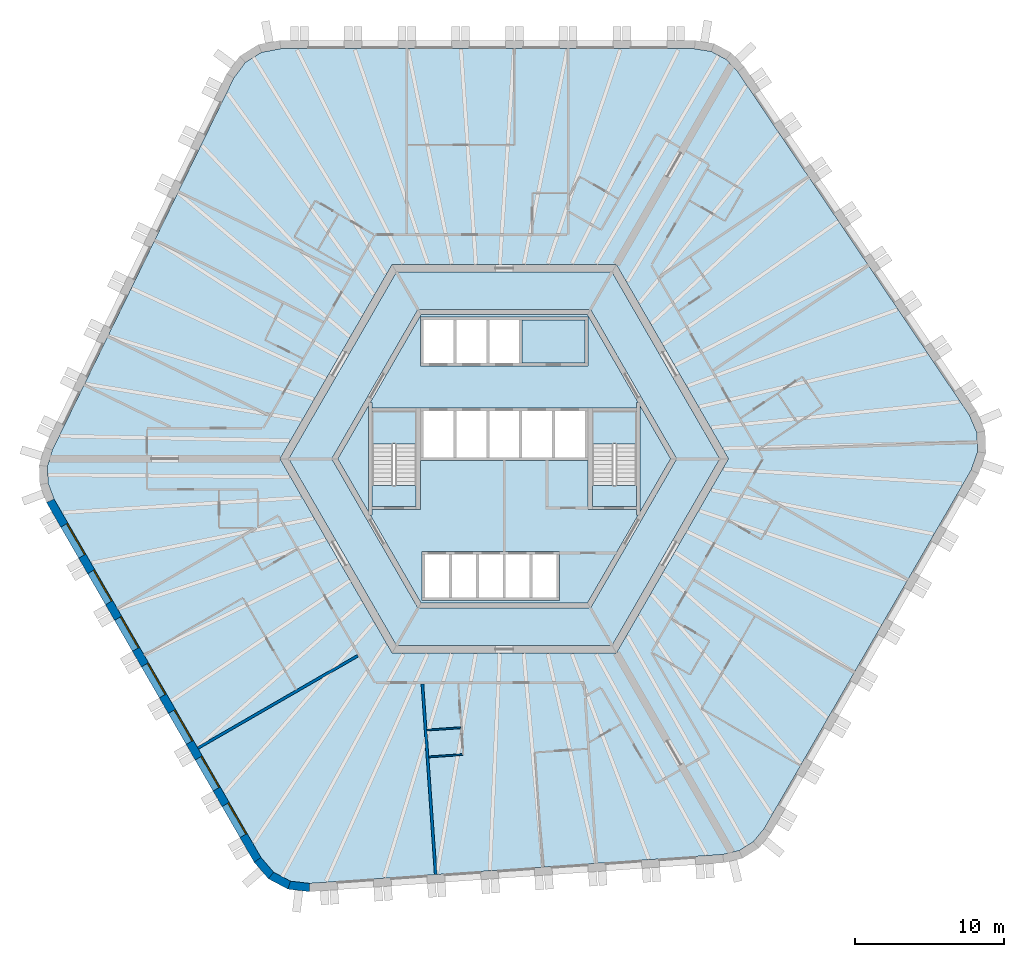
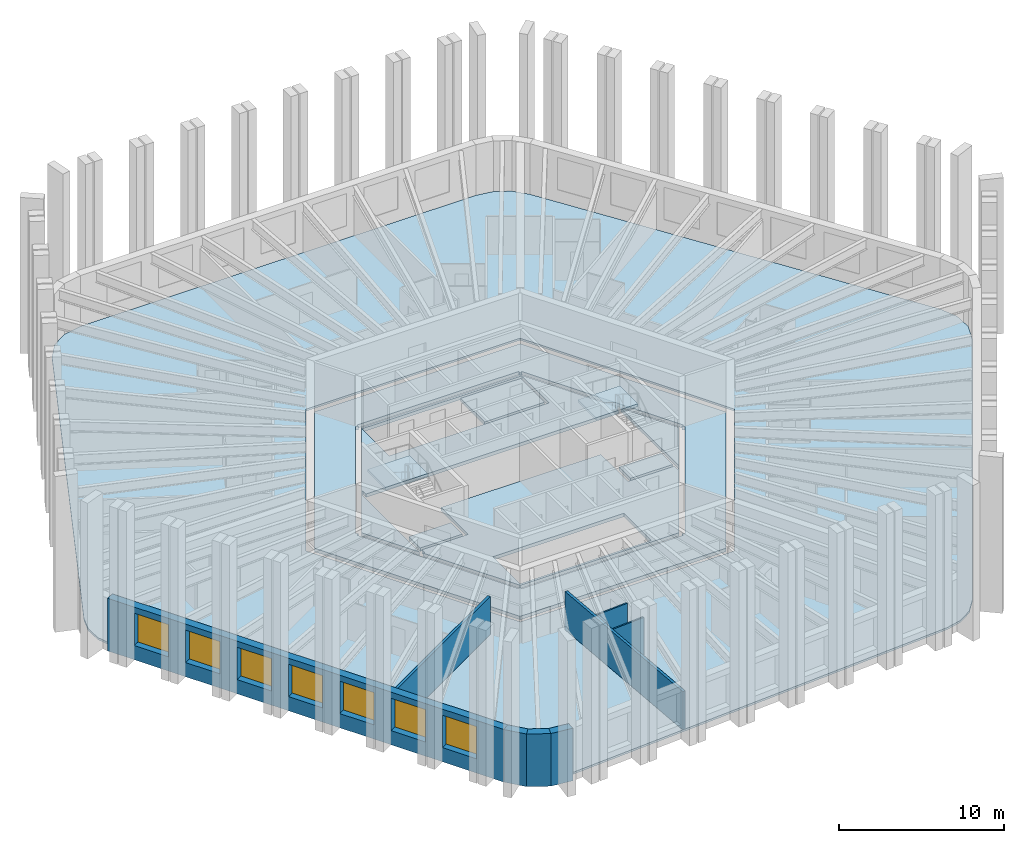
# One storey, part 2 of 10: 11 slabs, 8 walls, 7 windows, 7 openings, 2 elements without a shape of their own.
"""IFC4 building model written with IfcOpenShell, lengths in metres."""

from ifc_helpers import new_model, si_unit, direction, frame, frame_2d, origin, place, context, subcontext, project, spatial, polyline, rectangle, outline, extrude, material, layer, layer_set, type_object, element, fill, aggregate, save


model = new_model("IFC4")

# Units and contexts
model_context = context("Model", 3, precision=1e-05, world=origin(), true_north=direction((0.0, 1.0)))
body_context = subcontext(model_context, "Body", "Model", "MODEL_VIEW")
ifc_project = project(units=[si_unit("LENGTHUNIT", "METRE"), si_unit("AREAUNIT", "SQUARE_METRE"), si_unit("VOLUMEUNIT", "CUBIC_METRE"), si_unit("PLANEANGLEUNIT", "RADIAN"), si_unit("MASSUNIT", "GRAM", prefix="KILO")], contexts=[model_context])

# Site, building, storey
site_placement = place(None, origin())
site = spatial("IfcSite", under=ifc_project, at=site_placement, CompositionType="ELEMENT")
building_placement = place(site_placement, origin())
building = spatial("IfcBuilding", under=site, at=building_placement, Name="Tarnside Tower", CompositionType="ELEMENT")
storey_placement = place(building_placement, frame((0.0, 0.0, 238.5)))
storey = spatial("IfcBuildingStorey", under=building, at=storey_placement, Name="L57", CompositionType="ELEMENT", Elevation=238.5)

# Slabs
ifc_material_1 = material(Name="Concrete C35/45", Category="concrete")
ifc_layer_1 = layer(ifc_material_1, 0.14990234375)
ifc_layer_set_1 = layer_set([ifc_layer_1], Name="Composite floor slab 150")
slab_type_1 = type_object("IfcSlabType", Name="Composite floor slab 150", PredefinedType="FLOOR", material=ifc_layer_set_1)
slab_1_placement = place(storey_placement, frame((0.0, 0.0, -0.14990234375)))
element("IfcSlab", 1, at=slab_1_placement, inside=storey, type_object=slab_type_1, Name="Floor slab L57", PredefinedType="FLOOR", context=body_context, shape_type="SweptSolid", body=[
    extrude(outline(polyline([(13.864013671875, 27.264892578125), (14.85107421875, 26.740234375), (15.6337890625, 25.91064453125), (31.12890625, 2.938232421875), (31.644287109375, 1.7431640625), (31.68896484375, 0.468505859375), (31.258056640625, -0.759521484375), (17.403076171875, -24.7568359375), (16.68017578125, -25.63916015625), (15.732177734375, -26.2314453125), (14.622314453125, -26.494384765625), (-13.02001953125, -28.427490234375), (-14.3125, -28.2763671875), (-15.438720703125, -27.677490234375), (-16.286865234375, -26.6904296875), (-30.1416015625, -2.693115234375), (-30.544189453125, -1.6259765625), (-30.583251953125, -0.5087890625), (-30.256103515625, 0.583984375), (-18.10888671875, 25.4892578125), (-17.331787109375, 26.533203125), (-16.250244140625, 27.208984375), (-14.97119140625, 27.449951171875), (12.738525390625, 27.449951171875), (13.864013671875, 27.264892578125)]), holes=[polyline([(-15.010986328125, 0.0), (-7.505615234375, -13.0), (7.505615234375, -13.0), (15.010986328125, 0.0), (7.505615234375, 13.0), (-7.505615234375, 13.0), (-15.010986328125, 0.0)])]), origin(), (0.0, 0.0, 1.0), 0.14990234375),
])
ifc_material_2 = material(Name="Concrete C40/50", Category="concrete")
ifc_layer_2 = layer(ifc_material_2, 0.25)
ifc_layer_set_2 = layer_set([ifc_layer_2], Name="Core slab C40/50")
slab_type_2 = type_object("IfcSlabType", Name="Core slab C40/50", PredefinedType="FLOOR", material=ifc_layer_set_2)
slab_2_placement = place(storey_placement, frame((0.0, 0.0, -0.25)))
element("IfcSlab", 2, at=slab_2_placement, inside=storey, type_object=slab_type_2, Name="L57 core floor slab 1", PredefinedType="FLOOR", context=body_context, shape_type="SweptSolid", body=[
    extrude(outline(polyline([(-7.216796875, 12.5), (7.216796875, 12.5), (14.433837890625, 0.0), (7.216796875, -12.5), (-7.216796875, -12.5), (-14.433837890625, 0.0), (-7.216796875, 12.5)]), holes=[polyline([(5.823974609375, -9.91259765625), (11.49658203125, -0.08740234375), (11.344970703125, 0.0), (11.49658203125, 0.08740234375), (5.823974609375, 9.91259765625), (5.672607421875, 9.824951171875), (5.672607421875, 10.0), (-5.672607421875, 10.0), (-5.672607421875, 9.824951171875), (-5.823974609375, 9.91259765625), (-11.49658203125, 0.08740234375), (-11.344970703125, 0.0), (-11.49658203125, -0.08740234375), (-5.823974609375, -9.91259765625), (-5.672607421875, -9.824951171875), (-5.672607421875, -10.0), (5.672607421875, -10.0), (5.672607421875, -9.824951171875), (5.823974609375, -9.91259765625)])]), origin(), (0.0, 0.0, 1.0), 0.25),
])
slab_3_placement = place(storey_placement, frame((0.0, 0.0, -0.25)))
element("IfcSlab", 3, at=slab_3_placement, inside=storey, type_object=slab_type_2, Name="L57 core floor slab 2", PredefinedType="FLOOR", context=body_context, shape_type="SweptSolid", body=[
    extrude(outline(polyline([(-8.97509765625, 3.7548828125), (-5.5712890625, 9.64990234375), (5.5712890625, 9.64990234375), (8.97509765625, 3.7548828125), (8.85009765625, 3.7548828125), (8.85009765625, 3.39990234375), (5.89990234375, 3.39990234375), (5.60009765625, 3.39990234375), (5.60009765625, 3.39990234375), (-5.60009765625, 3.39990234375), (-5.89990234375, 3.39990234375), (-8.85009765625, 3.39990234375), (-8.85009765625, 3.7548828125), (-8.97509765625, 3.7548828125)]), holes=[polyline([(-5.60009765625, 6.199951171875), (5.60009765625, 6.199951171875), (5.60009765625, 6.39990234375), (5.60009765625, 9.300048828125), (5.60009765625, 9.5), (-5.60009765625, 9.5), (-5.60009765625, 9.300048828125), (-5.60009765625, 6.39990234375), (-5.60009765625, 6.199951171875)])]), origin(), (0.0, 0.0, 1.0), 0.25),
])
slab_4_placement = place(storey_placement, frame((0.0, 0.0, -0.25)))
element("IfcSlab", 4, at=slab_4_placement, inside=storey, type_object=slab_type_2, Name="L57 core floor slab 3", PredefinedType="FLOOR", context=body_context, shape_type="SweptSolid", body=[
    extrude(outline(polyline([(5.60009765625, -3.39990234375), (5.89990234375, -3.39990234375), (8.85009765625, -3.39990234375), (8.85009765625, -3.7548828125), (8.97509765625, -3.7548828125), (5.5712890625, -9.64990234375), (-5.5712890625, -9.64990234375), (-8.97509765625, -3.7548828125), (-8.85009765625, -3.7548828125), (-8.85009765625, -3.39990234375), (-5.89990234375, -3.39990234375), (-5.60009765625, -3.39990234375), (-5.60009765625, -0.10009765625), (5.60009765625, -0.10009765625), (5.60009765625, -3.39990234375)]), holes=[polyline([(-5.5, -9.300048828125), (-5.5, -9.5), (3.699951171875, -9.5), (3.699951171875, -9.300048828125), (3.699951171875, -6.39990234375), (3.699951171875, -6.199951171875), (-5.5, -6.199951171875), (-5.5, -6.39990234375), (-5.5, -9.300048828125)])]), origin(), (0.0, 0.0, 1.0), 0.25),
])
slab_5_placement = place(storey_placement, frame((0.0, 0.0, -0.25)))
element("IfcSlab", 5, at=slab_5_placement, inside=storey, type_object=slab_type_2, Name="L57 core floor slab 4", PredefinedType="FLOOR", context=body_context, shape_type="SweptSolid", body=[
    extrude(outline(polyline([(-11.142822265625, 0.0), (-9.10009765625, 3.538330078125), (-9.10009765625, -3.538330078125), (-11.142822265625, 0.0)])), origin(), (0.0, 0.0, 1.0), 0.25),
])
slab_6_placement = place(storey_placement, frame((0.0, 0.0, -0.25)))
element("IfcSlab", 6, at=slab_6_placement, inside=storey, type_object=slab_type_2, Name="L57 core floor slab 5", PredefinedType="FLOOR", context=body_context, shape_type="SweptSolid", body=[
    extrude(outline(polyline([(-8.85009765625, -1.800048828125), (-5.89990234375, -1.800048828125), (-5.89990234375, -3.199951171875), (-8.85009765625, -3.199951171875), (-8.85009765625, -1.800048828125)])), origin(), (0.0, 0.0, 1.0), 0.25),
])
slab_7_placement = place(storey_placement, frame((0.0, 0.0, -0.25)))
element("IfcSlab", 7, at=slab_7_placement, inside=storey, type_object=slab_type_2, Name="L57 core floor slab 6", PredefinedType="FLOOR", context=body_context, shape_type="SweptSolid", body=[
    extrude(outline(polyline([(5.89990234375, -3.199951171875), (5.89990234375, -1.800048828125), (8.85009765625, -1.800048828125), (8.85009765625, -3.199951171875), (5.89990234375, -3.199951171875)])), origin(), (0.0, 0.0, 1.0), 0.25),
])
slab_8_placement = place(storey_placement, frame((0.0, 0.0, -0.25)))
element("IfcSlab", 8, at=slab_8_placement, inside=storey, type_object=slab_type_2, Name="L57 core floor slab 7", PredefinedType="FLOOR", context=body_context, shape_type="SweptSolid", body=[
    extrude(outline(polyline([(9.10009765625, -3.538330078125), (9.10009765625, 3.538330078125), (11.142822265625, 0.0), (9.10009765625, -3.538330078125)])), origin(), (0.0, 0.0, 1.0), 0.25),
])
slab_9_placement = place(storey_placement, frame((0.0, 0.0, -0.25)))
element("IfcSlab", 9, at=slab_9_placement, inside=storey, type_object=slab_type_2, Name="L57 core floor slab 8", PredefinedType="FLOOR", context=body_context, shape_type="SweptSolid", body=[
    extrude(outline(polyline([(5.39990234375, 9.300048828125), (5.39990234375, 6.39990234375), (1.199951171875, 6.39990234375), (1.199951171875, 9.300048828125), (5.39990234375, 9.300048828125)])), origin(), (0.0, 0.0, 1.0), 0.25),
])

# Stair, slab
stair_type = type_object("IfcStairType", Name="Exit stair 1400 clear", PredefinedType="HALF_TURN_STAIR", material=ifc_material_2)
stair_1_placement = place(storey_placement, origin())
stair_1 = element("IfcStair", 10, at=stair_1_placement, inside=storey, type_object=stair_type, Name="L57 Exit stair 1", PredefinedType="HALF_TURN_STAIR")
ifc_layer_3 = layer(ifc_material_2, 0.199951171875)
ifc_layer_set_3 = layer_set([ifc_layer_3], Name="Stair landing 200 C40/50")
slab_type_3 = type_object("IfcSlabType", Name="Stair landing 200 C40/50", PredefinedType="LANDING", material=ifc_layer_set_3)
slab_10_placement = place(storey_placement, frame((0.0, 0.0, 1.75)))
slab_10 = element("IfcSlab", 11, at=slab_10_placement, type_object=slab_type_3, Name="ST1 landing 1", PredefinedType="LANDING", context=body_context, shape_type="SweptSolid", body=[
    extrude(outline(polyline([(8.85009765625, 1.0), (8.85009765625, 3.199951171875), (5.89990234375, 3.199951171875), (5.89990234375, 1.0), (8.85009765625, 1.0)])), origin(), (0.0, 0.0, 1.0), 0.199951171875),
])
aggregate(stair_1, [slab_10])

stair_2_placement = place(storey_placement, origin())
stair_2 = element("IfcStair", 12, at=stair_2_placement, inside=storey, type_object=stair_type, Name="L57 Exit stair 2", PredefinedType="HALF_TURN_STAIR")
slab_11_placement = place(storey_placement, frame((0.0, 0.0, 1.75)))
slab_11 = element("IfcSlab", 13, at=slab_11_placement, type_object=slab_type_3, Name="ST2 landing 1", PredefinedType="LANDING", context=body_context, shape_type="SweptSolid", body=[
    extrude(outline(polyline([(-5.89990234375, 1.0), (-5.89990234375, 3.199951171875), (-8.85009765625, 3.199951171875), (-8.85009765625, 1.0), (-5.89990234375, 1.0)])), origin(), (0.0, 0.0, 1.0), 0.199951171875),
])
aggregate(stair_2, [slab_11])

# Walls
ifc_material_3 = material(Name="Gypsum board partition on steel studs", Category="steel")
ifc_layer_4 = layer(ifc_material_3, 0.10009765625)
ifc_layer_set_4 = layer_set([ifc_layer_4], Name="Bathroom wall 100")
wall_type_1 = type_object("IfcWallType", Name="Bathroom wall 100", PredefinedType="PARTITIONING", material=ifc_layer_set_4)
wall_1_placement = place(storey_placement, frame((-5.173583984375, -18.16357421875, 0.0), z_axis=(0.0, 0.0, 1.0), x_axis=(0.997562351999, 0.069780755754, 0.0)))
element("IfcWall", 14, at=wall_1_placement, inside=storey, type_object=wall_type_1, Name="Bathroom wall 19095", PredefinedType="PARTITIONING", context=body_context, shape_type="SweptSolid", body=[
    extrude(rectangle(XDim=2.26025390625, YDim=0.10009765625, at=frame_2d((1.130126953125, 0.0))), origin(), (0.0, 0.0, 1.0), 2.837890625),
])
ifc_layer_5 = layer(ifc_material_3, 0.179931640625)
ifc_layer_set_5 = layer_set([ifc_layer_5], Name="Demising wall 180 EI 60")
wall_type_2 = type_object("IfcWallType", Name="Demising wall 180 EI 60", PredefinedType="PARTITIONING", material=ifc_layer_set_5)
wall_2_placement = place(storey_placement, frame((-20.513427734375, -19.36962890625, 0.0), z_axis=(0.0, 0.0, 1.0), x_axis=(0.866024931941, 0.500000817256, 0.0)))
element("IfcWall", 15, at=wall_2_placement, inside=storey, type_object=wall_type_2, Name="Demising wall 19083", PredefinedType="PARTITIONING", context=body_context, shape_type="SweptSolid", body=[
    extrude(rectangle(XDim=12.375, YDim=0.179931640625, at=frame_2d((6.1875, 0.0))), origin(), (0.0, 0.0, 1.0), 2.837890625),
])
wall_3_placement = place(storey_placement, frame((-4.587158203125, -27.837890625, 0.0), z_axis=(0.0, 0.0, 1.0), x_axis=(-0.069764754112, 0.997563471206, 0.0)))
element("IfcWall", 16, at=wall_3_placement, inside=storey, type_object=wall_type_2, Name="Demising wall 19085", PredefinedType="PARTITIONING", context=body_context, shape_type="SweptSolid", body=[
    extrude(rectangle(XDim=12.794189453125, YDim=0.179931640625, at=frame_2d((6.39697265625, 0.0))), origin(), (0.0, 0.0, 1.0), 2.837890625),
])
ifc_layer_6 = layer(ifc_material_3, 0.10009765625)
ifc_layer_set_6 = layer_set([ifc_layer_6], Name="Partition 100")
wall_type_3 = type_object("IfcWallType", Name="Partition 100", PredefinedType="PARTITIONING", material=ifc_layer_set_6)
wall_4_placement = place(storey_placement, frame((-2.79345703125, -19.801513671875, 0.0), z_axis=(0.0, 0.0, 1.0), x_axis=(-0.997562351999, -0.069780755754, 0.0)))
element("IfcWall", 17, at=wall_4_placement, inside=storey, type_object=wall_type_3, Name="Partition wall 19090", PredefinedType="PARTITIONING", context=body_context, shape_type="SweptSolid", body=[
    extrude(rectangle(XDim=2.26025390625, YDim=0.10009765625, at=frame_2d((1.130126953125, 0.0))), origin(), (0.0, 0.0, 1.0), 2.837890625),
])

# Wall, openings, windows
ifc_material_4 = material(Name="Facing brick", Category="masonry")
ifc_layer_7 = layer(ifc_material_4, 0.10205078125)
ifc_material_5 = material(Name="Concrete C60/75 precast", Category="concrete")
ifc_layer_8 = layer(ifc_material_5, 0.347900390625)
ifc_material_6 = material(Name="Mineral wool insulation")
ifc_layer_9 = layer(ifc_material_6, 0.10009765625)
ifc_layer_set_7 = layer_set([ifc_layer_7, ifc_layer_8, ifc_layer_9], Name="Tube wall 550 brick faced")
wall_type_4 = type_object("IfcWallType", Name="Tube wall 550 brick faced", PredefinedType="SOLIDWALL", material=ifc_layer_set_7)
wall_5_placement = place(storey_placement, frame((-30.39111328125, -2.81103515625, -0.14990234375), z_axis=(0.0, 0.0, 1.0), x_axis=(0.499998569178, -0.866026229868, 0.0)))
wall_5 = element("IfcWall", 18, at=wall_5_placement, inside=storey, type_object=wall_type_4, Name="Tube wall L57 F3 flush 08", PredefinedType="SOLIDWALL", context=body_context, shape_type="SweptSolid", body=[
    extrude(outline(polyline([(-0.0224609375, -0.27490234375), (27.783447265625, -0.27490234375), (27.732177734375, 0.27490234375), (0.0224609375, 0.27490234375), (-0.0224609375, -0.27490234375)])), origin(), (0.0, 0.0, 1.0), 3.89990234375),
])
opening_1_placement = place(wall_5_placement, frame((1.87890625, 0.0, 1.050048828125)))
opening_1 = element("IfcOpeningElement", 19, at=opening_1_placement, cuts=wall_5, Name="Opening WH", PredefinedType="OPENING", context=body_context, shape_type="SweptSolid", body=[
    extrude(rectangle(XDim=2.39990234375, YDim=2.39990234375, at=frame_2d((1.199951171875, 1.199951171875))), frame((0.0, 0.28515625, 0.0), z_axis=(0.0, -1.0, 0.0), x_axis=(1.0, 0.0, 0.0)), (0.0, 0.0, 1.0), 0.570068359375),
])
opening_2_placement = place(wall_5_placement, frame((5.47900390625, 0.0, 1.050048828125)))
opening_2 = element("IfcOpeningElement", 20, at=opening_2_placement, cuts=wall_5, Name="Opening WH", PredefinedType="OPENING", context=body_context, shape_type="SweptSolid", body=[
    extrude(rectangle(XDim=2.39990234375, YDim=2.39990234375, at=frame_2d((1.199951171875, 1.199951171875))), frame((0.0, 0.28515625, 0.0), z_axis=(0.0, -1.0, 0.0), x_axis=(1.0, 0.0, 0.0)), (0.0, 0.0, 1.0), 0.570068359375),
])
opening_3_placement = place(wall_5_placement, frame((9.078857421875, 0.0, 1.050048828125)))
opening_3 = element("IfcOpeningElement", 21, at=opening_3_placement, cuts=wall_5, Name="Opening WH", PredefinedType="OPENING", context=body_context, shape_type="SweptSolid", body=[
    extrude(rectangle(XDim=2.39990234375, YDim=2.39990234375, at=frame_2d((1.199951171875, 1.199951171875))), frame((0.0, 0.28515625, 0.0), z_axis=(0.0, -1.0, 0.0), x_axis=(1.0, 0.0, 0.0)), (0.0, 0.0, 1.0), 0.570068359375),
])
opening_4_placement = place(wall_5_placement, frame((12.678955078125, 0.0, 1.050048828125)))
opening_4 = element("IfcOpeningElement", 22, at=opening_4_placement, cuts=wall_5, Name="Opening WH", PredefinedType="OPENING", context=body_context, shape_type="SweptSolid", body=[
    extrude(rectangle(XDim=2.39990234375, YDim=2.39990234375, at=frame_2d((1.199951171875, 1.199951171875))), frame((0.0, 0.28515625, 0.0), z_axis=(0.0, -1.0, 0.0), x_axis=(1.0, 0.0, 0.0)), (0.0, 0.0, 1.0), 0.570068359375),
])
opening_5_placement = place(wall_5_placement, frame((16.27880859375, 0.0, 1.050048828125)))
opening_5 = element("IfcOpeningElement", 23, at=opening_5_placement, cuts=wall_5, Name="Opening WH", PredefinedType="OPENING", context=body_context, shape_type="SweptSolid", body=[
    extrude(rectangle(XDim=2.39990234375, YDim=2.39990234375, at=frame_2d((1.199951171875, 1.199951171875))), frame((0.0, 0.28515625, 0.0), z_axis=(0.0, -1.0, 0.0), x_axis=(1.0, 0.0, 0.0)), (0.0, 0.0, 1.0), 0.570068359375),
])
opening_6_placement = place(wall_5_placement, frame((19.87890625, 0.0, 1.050048828125)))
opening_6 = element("IfcOpeningElement", 24, at=opening_6_placement, cuts=wall_5, Name="Opening WH", PredefinedType="OPENING", context=body_context, shape_type="SweptSolid", body=[
    extrude(rectangle(XDim=2.39990234375, YDim=2.39990234375, at=frame_2d((1.199951171875, 1.199951171875))), frame((0.0, 0.28515625, 0.0), z_axis=(0.0, -1.0, 0.0), x_axis=(1.0, 0.0, 0.0)), (0.0, 0.0, 1.0), 0.570068359375),
])
opening_7_placement = place(wall_5_placement, frame((23.47900390625, 0.0, 1.050048828125)))
opening_7 = element("IfcOpeningElement", 25, at=opening_7_placement, cuts=wall_5, Name="Opening WH", PredefinedType="OPENING", context=body_context, shape_type="SweptSolid", body=[
    extrude(rectangle(XDim=2.39990234375, YDim=2.39990234375, at=frame_2d((1.199951171875, 1.199951171875))), frame((0.0, 0.28515625, 0.0), z_axis=(0.0, -1.0, 0.0), x_axis=(1.0, 0.0, 0.0)), (0.0, 0.0, 1.0), 0.570068359375),
])
ifc_material_7 = material(Name="Aluminium-framed double glazing", Category="aluminium")
window_type = type_object("IfcWindowType", Name="Hotel window 2400 x 2400", PartitioningType="DOUBLE_PANEL_VERTICAL", PredefinedType="WINDOW", material=ifc_material_7)
window_1_placement = place(opening_1_placement, frame((0.0, 0.205078125, 0.0)))
window_1 = element("IfcWindow", 26, at=window_1_placement, inside=storey, type_object=window_type, Name="E.WN.L57.F3.00", OverallHeight=2.39990234375, OverallWidth=2.39990234375, PartitioningType="DOUBLE_PANEL_VERTICAL", PredefinedType="WINDOW", context=body_context, shape_type="SweptSolid", body=[
    extrude(rectangle(XDim=2.39990234375, YDim=2.39990234375, at=frame_2d((1.199951171875, 1.199951171875))), frame((0.0, 0.030029296875, 0.0), z_axis=(0.0, -1.0, 0.0), x_axis=(1.0, 0.0, 0.0)), (0.0, 0.0, 1.0), 0.06005859375),
])
fill(opening_1, window_1)
window_2_placement = place(opening_2_placement, frame((0.0, 0.205078125, 0.0)))
window_2 = element("IfcWindow", 27, at=window_2_placement, inside=storey, type_object=window_type, Name="E.WN.L57.F3.01", OverallHeight=2.39990234375, OverallWidth=2.39990234375, PartitioningType="DOUBLE_PANEL_VERTICAL", PredefinedType="WINDOW", context=body_context, shape_type="SweptSolid", body=[
    extrude(rectangle(XDim=2.39990234375, YDim=2.39990234375, at=frame_2d((1.199951171875, 1.199951171875))), frame((0.0, 0.030029296875, 0.0), z_axis=(0.0, -1.0, 0.0), x_axis=(1.0, 0.0, 0.0)), (0.0, 0.0, 1.0), 0.06005859375),
])
fill(opening_2, window_2)
window_3_placement = place(opening_3_placement, frame((0.0, 0.205078125, 0.0)))
window_3 = element("IfcWindow", 28, at=window_3_placement, inside=storey, type_object=window_type, Name="E.WN.L57.F3.02", OverallHeight=2.39990234375, OverallWidth=2.39990234375, PartitioningType="DOUBLE_PANEL_VERTICAL", PredefinedType="WINDOW", context=body_context, shape_type="SweptSolid", body=[
    extrude(rectangle(XDim=2.39990234375, YDim=2.39990234375, at=frame_2d((1.199951171875, 1.199951171875))), frame((0.0, 0.030029296875, 0.0), z_axis=(0.0, -1.0, 0.0), x_axis=(1.0, 0.0, 0.0)), (0.0, 0.0, 1.0), 0.06005859375),
])
fill(opening_3, window_3)
window_4_placement = place(opening_4_placement, frame((0.0, 0.205078125, 0.0)))
window_4 = element("IfcWindow", 29, at=window_4_placement, inside=storey, type_object=window_type, Name="E.WN.L57.F3.03", OverallHeight=2.39990234375, OverallWidth=2.39990234375, PartitioningType="DOUBLE_PANEL_VERTICAL", PredefinedType="WINDOW", context=body_context, shape_type="SweptSolid", body=[
    extrude(rectangle(XDim=2.39990234375, YDim=2.39990234375, at=frame_2d((1.199951171875, 1.199951171875))), frame((0.0, 0.030029296875, 0.0), z_axis=(0.0, -1.0, 0.0), x_axis=(1.0, 0.0, 0.0)), (0.0, 0.0, 1.0), 0.06005859375),
])
fill(opening_4, window_4)
window_5_placement = place(opening_5_placement, frame((0.0, 0.205078125, 0.0)))
window_5 = element("IfcWindow", 30, at=window_5_placement, inside=storey, type_object=window_type, Name="E.WN.L57.F3.04", OverallHeight=2.39990234375, OverallWidth=2.39990234375, PartitioningType="DOUBLE_PANEL_VERTICAL", PredefinedType="WINDOW", context=body_context, shape_type="SweptSolid", body=[
    extrude(rectangle(XDim=2.39990234375, YDim=2.39990234375, at=frame_2d((1.199951171875, 1.199951171875))), frame((0.0, 0.030029296875, 0.0), z_axis=(0.0, -1.0, 0.0), x_axis=(1.0, 0.0, 0.0)), (0.0, 0.0, 1.0), 0.06005859375),
])
fill(opening_5, window_5)
window_6_placement = place(opening_6_placement, frame((0.0, 0.205078125, 0.0)))
window_6 = element("IfcWindow", 31, at=window_6_placement, inside=storey, type_object=window_type, Name="E.WN.L57.F3.05", OverallHeight=2.39990234375, OverallWidth=2.39990234375, PartitioningType="DOUBLE_PANEL_VERTICAL", PredefinedType="WINDOW", context=body_context, shape_type="SweptSolid", body=[
    extrude(rectangle(XDim=2.39990234375, YDim=2.39990234375, at=frame_2d((1.199951171875, 1.199951171875))), frame((0.0, 0.030029296875, 0.0), z_axis=(0.0, -1.0, 0.0), x_axis=(1.0, 0.0, 0.0)), (0.0, 0.0, 1.0), 0.06005859375),
])
fill(opening_6, window_6)
window_7_placement = place(opening_7_placement, frame((0.0, 0.205078125, 0.0)))
window_7 = element("IfcWindow", 32, at=window_7_placement, inside=storey, type_object=window_type, Name="E.WN.L57.F3.06", OverallHeight=2.39990234375, OverallWidth=2.39990234375, PartitioningType="DOUBLE_PANEL_VERTICAL", PredefinedType="WINDOW", context=body_context, shape_type="SweptSolid", body=[
    extrude(rectangle(XDim=2.39990234375, YDim=2.39990234375, at=frame_2d((1.199951171875, 1.199951171875))), frame((0.0, 0.030029296875, 0.0), z_axis=(0.0, -1.0, 0.0), x_axis=(1.0, 0.0, 0.0)), (0.0, 0.0, 1.0), 0.06005859375),
])
fill(opening_7, window_7)

# Walls
wall_6_placement = place(storey_placement, frame((-16.51220703125, -26.85009765625, -0.14990234375), z_axis=(0.0, 0.0, 1.0), x_axis=(0.651621950847, -0.758543890078, 0.0)))
element("IfcWall", 33, at=wall_6_placement, inside=storey, type_object=wall_type_4, Name="Tube wall L57 F3 chord 09", PredefinedType="SOLIDWALL", context=body_context, shape_type="SweptSolid", body=[
    extrude(outline(polyline([(-0.025634765625, -0.27490234375), (1.430908203125, -0.27490234375), (1.327392578125, 0.27490234375), (0.025634765625, 0.27490234375), (-0.025634765625, -0.27490234375)])), origin(), (0.0, 0.0, 1.0), 3.89990234375),
])
wall_7_placement = place(storey_placement, frame((-15.613525390625, -27.896240234375, -0.14990234375), z_axis=(0.0, 0.0, 1.0), x_axis=(0.882994189209, -0.469383917304, 0.0)))
element("IfcWall", 34, at=wall_7_placement, inside=storey, type_object=wall_type_4, Name="Tube wall L57 F3 chord 10", PredefinedType="SOLIDWALL", context=body_context, shape_type="SweptSolid", body=[
    extrude(outline(polyline([(-0.0517578125, -0.27490234375), (1.4306640625, -0.27490234375), (1.3271484375, 0.27490234375), (0.0517578125, 0.27490234375), (-0.0517578125, -0.27490234375)])), origin(), (0.0, 0.0, 1.0), 3.89990234375),
])
wall_8_placement = place(storey_placement, frame((-14.39599609375, -28.54345703125, -0.14990234375), z_axis=(0.0, 0.0, 1.0), x_axis=(0.993232537394, -0.11614269956, 0.0)))
element("IfcWall", 35, at=wall_8_placement, inside=storey, type_object=wall_type_4, Name="Tube wall L57 F3 chord 11", PredefinedType="SOLIDWALL", context=body_context, shape_type="SweptSolid", body=[
    extrude(outline(polyline([(-0.0517578125, -0.27490234375), (1.404541015625, -0.27490234375), (1.353271484375, 0.27490234375), (0.0517578125, 0.27490234375), (-0.0517578125, -0.27490234375)])), origin(), (0.0, 0.0, 1.0), 3.89990234375),
])

save(model, "model.ifc")
